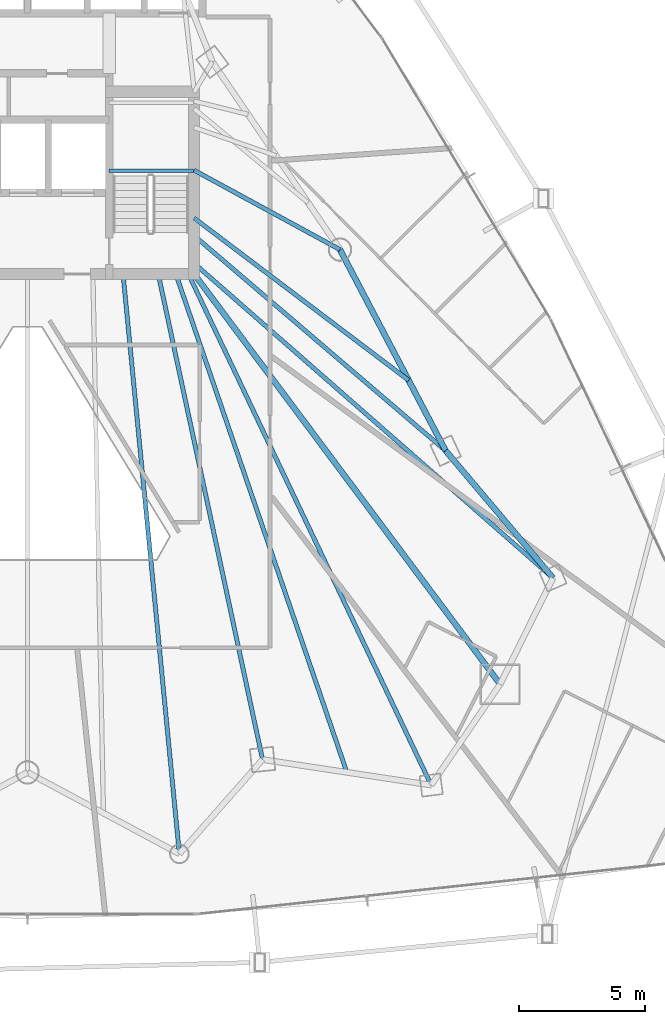
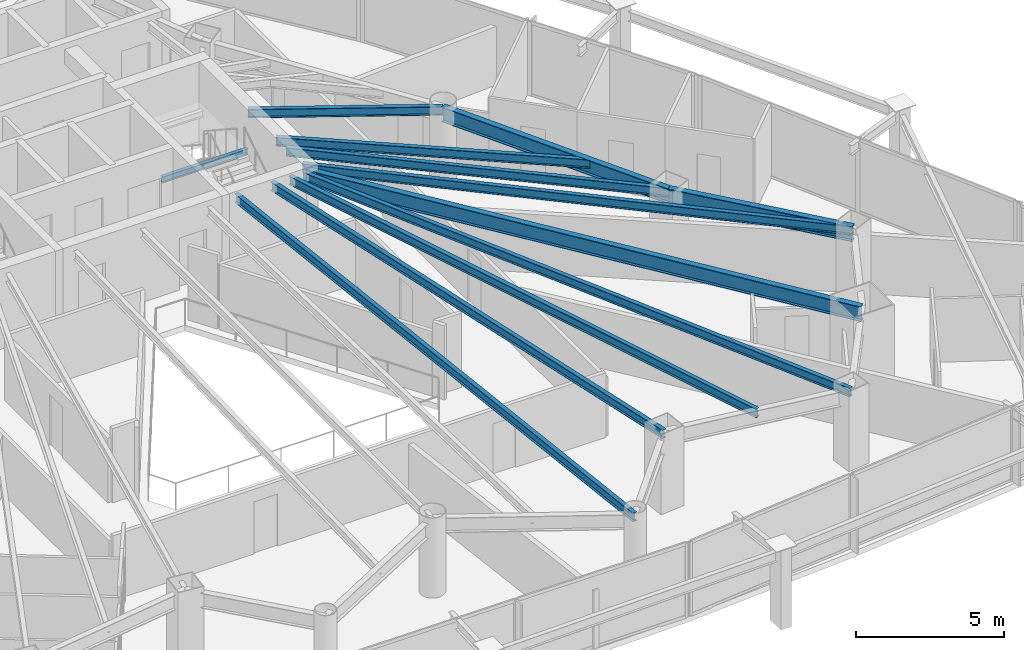
# One storey, part 18 of 35: 12 beams.
"""IFC4 building model written with IfcOpenShell, lengths in metres."""

from ifc_helpers import new_model, si_unit, direction, frame, origin, origin_2d, place, context, subcontext, project, spatial, i_section, extrude, material, material_profile, profile_set, type_object, element, save


model = new_model("IFC4")

# Units and contexts
model_context = context("Model", 3, precision=1e-05, world=origin(), true_north=direction((0.0, 1.0)))
body_context = subcontext(model_context, "Body", "Model", "MODEL_VIEW")
ifc_project = project(units=[si_unit("LENGTHUNIT", "METRE"), si_unit("AREAUNIT", "SQUARE_METRE"), si_unit("VOLUMEUNIT", "CUBIC_METRE"), si_unit("PLANEANGLEUNIT", "RADIAN"), si_unit("MASSUNIT", "GRAM", prefix="KILO")], contexts=[model_context])

# Site, building, storey
site_placement = place(None, origin())
site = spatial("IfcSite", under=ifc_project, at=site_placement, CompositionType="ELEMENT")
building_placement = place(site_placement, origin())
building = spatial("IfcBuilding", under=site, at=building_placement, Name="Orvanel Arch Residences", CompositionType="ELEMENT")
storey_placement = place(building_placement, frame((0.0, 0.0, 30.199951171875)))
storey = spatial("IfcBuildingStorey", under=building, at=storey_placement, Name="L07", CompositionType="ELEMENT", Elevation=30.199951171875)

# Beams
ifc_material = material(Name="Structural steel AS/NZS 3679.1 Grade 300 (300 MPa)", Category="steel")
ifc_material_profile_1 = material_profile(ifc_material, i_section(OverallWidth=0.22900390625, OverallDepth=0.612060546875, WebThickness=0.011962890625, FlangeThickness=0.01953125, at=origin_2d()), Name="610UB125")
ifc_profile_set_1 = profile_set([ifc_material_profile_1], Name="Structural steel AS/NZS 3679.1 Grade 300 (300 MPa)")
beam_type_1 = type_object("IfcBeamType", Name="BG-610UB", PredefinedType="BEAM", material=ifc_profile_set_1)
beam_1_placement = place(storey_placement, frame((39.625, 26.675048828125, 2.754150390625), z_axis=(0.597893733742, -0.801575375839, 0.0), x_axis=(0.801575375839, 0.597893733742, 0.0)))
element("IfcBeam", 1, at=beam_1_placement, inside=storey, type_object=beam_type_1, Name="L07 South-East Radial Girder", PredefinedType="BEAM", context=body_context, shape_type="SweptSolid", body=[
    extrude(i_section(OverallWidth=0.22900390625, OverallDepth=0.612060546875, WebThickness=0.011962890625, FlangeThickness=0.01953125, at=origin_2d()), origin(), (0.0, 0.0, 1.0), 20.36474609375),
])
ifc_material_profile_2 = material_profile(ifc_material, i_section(OverallWidth=0.14599609375, OverallDepth=0.251953125, WebThickness=0.006103515625, FlangeThickness=0.008544921875, at=origin_2d()), Name="250UB31.4")
ifc_profile_set_2 = profile_set([ifc_material_profile_2], Name="Structural steel AS/NZS 3679.1 Grade 300 (300 MPa)")
beam_type_2 = type_object("IfcBeamType", Name="BJ-250UB", PredefinedType="JOIST", material=ifc_profile_set_2)
beam_2_placement = place(storey_placement, frame((36.25, 30.780029296875, 1.323974609375), z_axis=(1.0, 0.0, 0.0), x_axis=(0.0, 1.0, 0.0)))
element("IfcBeam", 2, at=beam_2_placement, inside=storey, type_object=beam_type_2, Name="L07 ST-2 Half-Landing Support Beam 1.1", PredefinedType="JOIST", context=body_context, shape_type="SweptSolid", body=[
    extrude(i_section(OverallWidth=0.14599609375, OverallDepth=0.251953125, WebThickness=0.006103515625, FlangeThickness=0.008544921875, at=origin_2d()), origin(), (0.0, 0.0, 1.0), 3.35009765625),
])
ifc_material_profile_3 = material_profile(ifc_material, i_section(OverallWidth=0.1708984375, OverallDepth=0.35595703125, WebThickness=0.00732421875, FlangeThickness=0.011474609375, at=origin_2d()), Name="360UB50.7")
ifc_profile_set_3 = profile_set([ifc_material_profile_3], Name="Structural steel AS/NZS 3679.1 Grade 300 (300 MPa)")
beam_type_3 = type_object("IfcBeamType", Name="BJ-360UB", PredefinedType="JOIST", material=ifc_profile_set_3)
beam_3_placement = place(storey_placement, frame((39.625, 30.800048828125, 2.882080078125), z_axis=(0.878399029914, -0.477927969726, 0.0), x_axis=(0.477927969726, 0.878399029914, 0.0)))
element("IfcBeam", 3, at=beam_3_placement, inside=storey, type_object=beam_type_3, Name="L07 NE Wing Floor Joist", PredefinedType="JOIST", context=body_context, shape_type="SweptSolid", body=[
    extrude(i_section(OverallWidth=0.1708984375, OverallDepth=0.35595703125, WebThickness=0.00732421875, FlangeThickness=0.011474609375, at=origin_2d()), origin(), (0.0, 0.0, 1.0), 6.609619140625),
])
beam_4_placement = place(storey_placement, frame((39.625, 28.199951171875, 2.882080078125), z_axis=(0.760024297953, -0.649894658018, 0.0), x_axis=(0.649894658018, 0.760024297953, 0.0)))
element("IfcBeam", 4, at=beam_4_placement, inside=storey, type_object=beam_type_3, Name="L07 E Wing Floor Joist", PredefinedType="JOIST", context=body_context, shape_type="SweptSolid", body=[
    extrude(i_section(OverallWidth=0.1708984375, OverallDepth=0.35595703125, WebThickness=0.00732421875, FlangeThickness=0.011474609375, at=origin_2d()), origin(), (0.0, 0.0, 1.0), 13.16796875),
])
beam_5_placement = place(storey_placement, frame((38.199951171875, 26.675048828125, 2.882080078125), z_axis=(0.210066515515, -0.977687096703, 0.0), x_axis=(0.977687096703, 0.210066515515, 0.0)))
element("IfcBeam", 5, at=beam_5_placement, inside=storey, type_object=beam_type_3, Name="L07 SE Wing Floor Joist", PredefinedType="JOIST", context=body_context, shape_type="SweptSolid", body=[
    extrude(i_section(OverallWidth=0.1708984375, OverallDepth=0.35595703125, WebThickness=0.00732421875, FlangeThickness=0.011474609375, at=origin_2d()), origin(), (0.0, 0.0, 1.0), 19.760986328125),
])
beam_6_placement = place(storey_placement, frame((39.625, 27.10009765625, 2.882080078125), z_axis=(0.751924114057, -0.659249669472, 0.0), x_axis=(0.659249669472, 0.751924114057, 0.0)))
element("IfcBeam", 6, at=beam_6_placement, inside=storey, type_object=beam_type_3, Name="L07 ME Wing Floor Joist", PredefinedType="JOIST", context=body_context, shape_type="SweptSolid", body=[
    extrude(i_section(OverallWidth=0.1708984375, OverallDepth=0.35595703125, WebThickness=0.00732421875, FlangeThickness=0.011474609375, at=origin_2d()), origin(), (0.0, 0.0, 1.0), 18.9912109375),
])
beam_7_placement = place(storey_placement, frame((39.39990234375, 26.675048828125, 2.882080078125), z_axis=(0.429042657795, -0.903284228686, 0.0), x_axis=(0.903284228686, 0.429042657795, 0.0)))
element("IfcBeam", 7, at=beam_7_placement, inside=storey, type_object=beam_type_3, Name="L07 MSE Wing Floor Joist", PredefinedType="JOIST", context=body_context, shape_type="SweptSolid", body=[
    extrude(i_section(OverallWidth=0.1708984375, OverallDepth=0.35595703125, WebThickness=0.00732421875, FlangeThickness=0.011474609375, at=origin_2d()), origin(), (0.0, 0.0, 1.0), 22.513427734375),
])
beam_8_placement = place(storey_placement, frame((36.800048828125, 26.675048828125, 2.882080078125), z_axis=(0.096724091756, -0.995311232768, 0.0), x_axis=(0.995311232768, 0.096724091756, 0.0)))
element("IfcBeam", 8, at=beam_8_placement, inside=storey, type_object=beam_type_3, Name="L07 LSE Wing Floor Joist", PredefinedType="JOIST", context=body_context, shape_type="SweptSolid", body=[
    extrude(i_section(OverallWidth=0.1708984375, OverallDepth=0.35595703125, WebThickness=0.00732421875, FlangeThickness=0.011474609375, at=origin_2d()), origin(), (0.0, 0.0, 1.0), 23.1787109375),
])
beam_9_placement = place(storey_placement, frame((39.625, 28.89990234375, 2.882080078125), z_axis=(0.797519083104, -0.60329371958, 0.0), x_axis=(0.60329371958, 0.797519083104, 0.0)))
element("IfcBeam", 9, at=beam_9_placement, inside=storey, type_object=beam_type_3, Name="L07 CTE Wing Floor Joist", PredefinedType="JOIST", context=body_context, shape_type="SweptSolid", body=[
    extrude(i_section(OverallWidth=0.1708984375, OverallDepth=0.35595703125, WebThickness=0.00732421875, FlangeThickness=0.011474609375, at=origin_2d()), origin(), (0.0, 0.0, 1.0), 10.70458984375),
])
beam_10_placement = place(storey_placement, frame((38.89990234375, 26.675048828125, 2.882080078125), z_axis=(0.324621456495, -0.945844019901, 0.0), x_axis=(0.945844019901, 0.324621456495, 0.0)))
element("IfcBeam", 10, at=beam_10_placement, inside=storey, type_object=beam_type_3, Name="L07 JADD2 Wing Floor Joist", PredefinedType="JOIST", context=body_context, shape_type="SweptSolid", body=[
    extrude(i_section(OverallWidth=0.1708984375, OverallDepth=0.35595703125, WebThickness=0.00732421875, FlangeThickness=0.011474609375, at=origin_2d()), origin(), (0.0, 0.0, 1.0), 20.96337890625),
])
ifc_material_profile_4 = material_profile(ifc_material, i_section(OverallWidth=0.22900390625, OverallDepth=0.612060546875, WebThickness=0.011962890625, FlangeThickness=0.01953125, at=origin_2d()), Name="610UB125")
ifc_profile_set_4 = profile_set([ifc_material_profile_4], Name="Structural steel AS/NZS 3679.1 Grade 300 (300 MPa)")
beam_type_4 = type_object("IfcBeamType", Name="SP-610UB", PredefinedType="SPANDREL", material=ifc_profile_set_4)
beam_11_placement = place(storey_placement, frame((53.905029296875, 14.580078125, 2.754150390625), z_axis=(-0.644950329775, 0.764224490659, 0.0), x_axis=(-0.764224490659, -0.644950329775, 0.0)))
element("IfcBeam", 11, at=beam_11_placement, inside=storey, type_object=beam_type_4, Name="L07 Perimeter Spandrel Beam 12", PredefinedType="SPANDREL", context=body_context, shape_type="SweptSolid", body=[
    extrude(i_section(OverallWidth=0.22900390625, OverallDepth=0.612060546875, WebThickness=0.011962890625, FlangeThickness=0.01953125, at=origin_2d()), origin(), (0.0, 0.0, 1.0), 6.623779296875),
])
beam_12_placement = place(storey_placement, frame((49.633056640625, 19.64208984375, 2.754150390625), z_axis=(-0.465064762793, 0.885276660942, 0.0), x_axis=(-0.885276660942, -0.465064762793, 0.0)))
element("IfcBeam", 12, at=beam_12_placement, inside=storey, type_object=beam_type_4, Name="L07 Perimeter Spandrel Beam 13", PredefinedType="SPANDREL", context=body_context, shape_type="SweptSolid", body=[
    extrude(i_section(OverallWidth=0.22900390625, OverallDepth=0.612060546875, WebThickness=0.011962890625, FlangeThickness=0.01953125, at=origin_2d()), origin(), (0.0, 0.0, 1.0), 9.03564453125),
])

save(model, "model.ifc")
